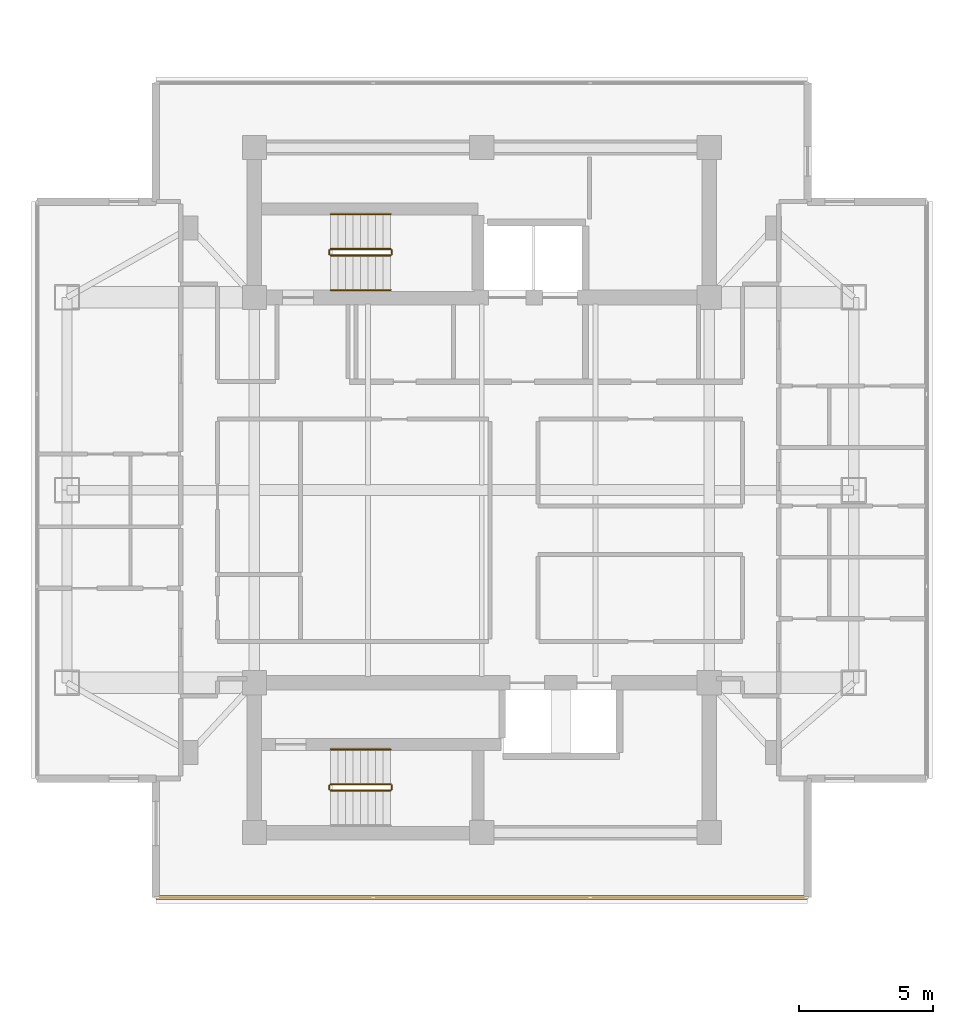
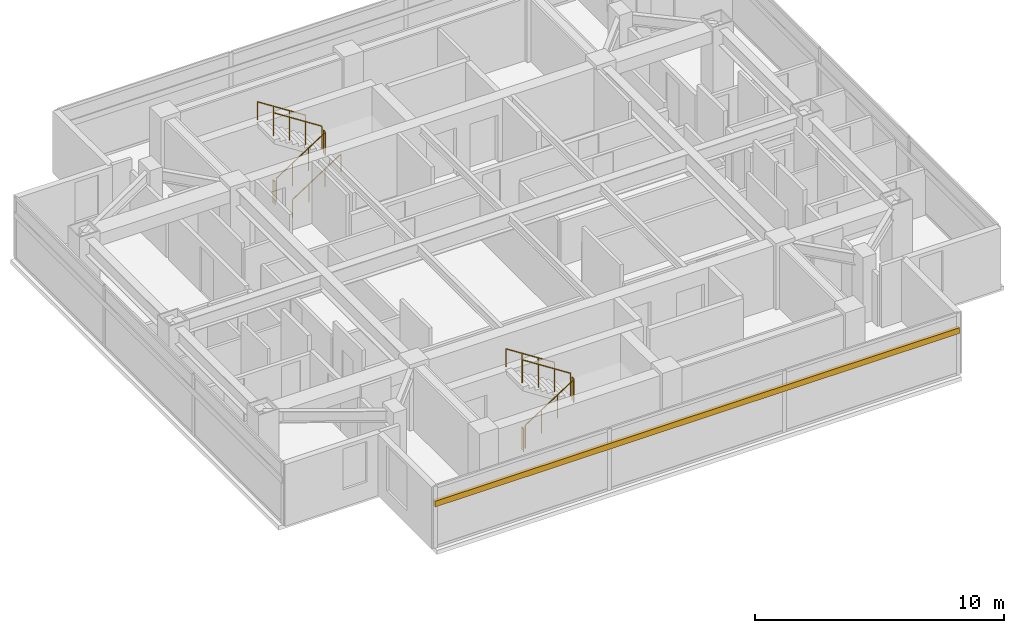
# One storey, part 23 of 24: 11 railings, 1 shading device.
"""IFC4 building model written with IfcOpenShell, lengths in metres."""

from ifc_helpers import new_model, si_unit, direction, frame, origin, origin_2d, place, context, subcontext, project, spatial, rectangle, circle, extrude, material, material_profile, profile_set, type_object, element, save


model = new_model("IFC4")

# Units and contexts
model_context = context("Model", 3, precision=1e-05, world=origin(), true_north=direction((0.0, 1.0)))
body_context = subcontext(model_context, "Body", "Model", "MODEL_VIEW")
ifc_project = project(units=[si_unit("LENGTHUNIT", "METRE"), si_unit("AREAUNIT", "SQUARE_METRE"), si_unit("VOLUMEUNIT", "CUBIC_METRE"), si_unit("PLANEANGLEUNIT", "RADIAN"), si_unit("MASSUNIT", "GRAM", prefix="KILO")], contexts=[model_context])

# Site, building, storey
site_placement = place(None, origin())
site = spatial("IfcSite", under=ifc_project, at=site_placement, CompositionType="ELEMENT")
building_placement = place(site_placement, origin())
building = spatial("IfcBuilding", under=site, at=building_placement, Name="Mirazonda Arch Towers", CompositionType="ELEMENT")
storey_placement = place(building_placement, frame((0.0, 0.0, 186.89990234375)))
storey = spatial("IfcBuildingStorey", under=building, at=storey_placement, Name="L53", CompositionType="ELEMENT", Elevation=186.89990234375)

# Shading device
ifc_material_1 = material(Name="Kiln-Fired Architectural Terracotta", Category="masonry")
ifc_material_profile = material_profile(ifc_material_1, rectangle(XDim=0.139892578125, YDim=0.280029296875, at=origin_2d()), Name="TERRA-BAG-140x280")
ifc_profile_set = profile_set([ifc_material_profile], Name="Kiln-Fired Architectural Terracotta")
shading_device_type = type_object("IfcShadingDeviceType", Name="BAGUETTE-3", PredefinedType="USERDEFINED", material=ifc_profile_set)
shading_device_placement = place(storey_placement, frame((88.67578125, 12.7783203125, 2.181640625), z_axis=(-1.0, 0.0, 0.0), x_axis=(0.0, -1.0, 0.0)))
element("IfcShadingDevice", 1, at=shading_device_placement, inside=storey, type_object=shading_device_type, Name="L53 Glazed Terracotta Sun-Screen Baguette CW-L53-T2-S", ObjectType="BAGUETTE", PredefinedType="USERDEFINED", context=body_context, shape_type="SweptSolid", body=[
    extrude(rectangle(XDim=0.139892578125, YDim=0.280029296875, at=origin_2d()), origin(), (0.0, 0.0, 1.0), 24.3515625),
])

# Railings
ifc_material_2 = material(Name="Architectural Brushed Steel S355", Category="steel")
railing_type_1 = type_object("IfcRailingType", Name="GUARD-STAIR-1120", PredefinedType="GUARDRAIL", material=ifc_material_2)
railing_1_placement = place(storey_placement, frame((70.85009765625, 36.77001953125, 0.1806640625)))
element("IfcRailing", 2, at=railing_1_placement, inside=storey, type_object=railing_type_1, Name="L53 ST-T2N stair guard 1", PredefinedType="GUARDRAIL", context=body_context, shape_type="SweptSolid", body=[
    extrude(circle(Radius=0.02392578125, at=origin_2d()), frame((0.0, 0.0, 1.1259765625), z_axis=(0.840436612492, 0.0, 0.541909863706), x_axis=(0.0, 1.0, 0.0)), (0.0, 0.0, 1.0), 2.665283203125),
    extrude(circle(Radius=0.02099609375, at=origin_2d()), origin(), (0.0, 0.0, 1.0), 1.101806640625),
    extrude(circle(Radius=0.02099609375, at=origin_2d()), frame((0.74658203125, 0.0, 0.4814453125)), (0.0, 0.0, 1.0), 1.101806640625),
    extrude(circle(Radius=0.02099609375, at=origin_2d()), frame((1.493408203125, 0.0, 0.962890625)), (0.0, 0.0, 1.0), 1.101806640625),
    extrude(circle(Radius=0.02099609375, at=origin_2d()), frame((2.239990234375, 0.0, 1.4443359375)), (0.0, 0.0, 1.0), 1.101806640625),
])
railing_2_placement = place(storey_placement, frame((73.139892578125, 36.820068359375, 1.625)))
element("IfcRailing", 3, at=railing_2_placement, inside=storey, type_object=railing_type_1, Name="L53 ST-T2N stair guard 2", PredefinedType="GUARDRAIL", context=body_context, shape_type="SweptSolid", body=[
    extrude(circle(Radius=0.02392578125, at=origin_2d()), frame((0.0, 0.0, 1.1259765625), z_axis=(0.0, 1.0, 0.0), x_axis=(-1.0, 0.0, 0.0)), (0.0, 0.0, 1.0), 0.139892578125),
    extrude(circle(Radius=0.02099609375, at=origin_2d()), origin(), (0.0, 0.0, 1.0), 1.101806640625),
    extrude(circle(Radius=0.02099609375, at=origin_2d()), frame((0.0, 0.139892578125, 0.0)), (0.0, 0.0, 1.0), 1.101806640625),
])
railing_3_placement = place(storey_placement, frame((73.090087890625, 37.010009765625, 1.8056640625)))
element("IfcRailing", 4, at=railing_3_placement, inside=storey, type_object=railing_type_1, Name="L53 ST-T2N stair guard 3", PredefinedType="GUARDRAIL", context=body_context, shape_type="SweptSolid", body=[
    extrude(circle(Radius=0.02392578125, at=origin_2d()), frame((0.0, 0.0, 1.1259765625), z_axis=(-0.840436612492, 0.0, 0.541909863706), x_axis=(0.0, -1.0, 0.0)), (0.0, 0.0, 1.0), 2.665283203125),
    extrude(circle(Radius=0.02099609375, at=origin_2d()), origin(), (0.0, 0.0, 1.0), 1.101806640625),
    extrude(circle(Radius=0.02099609375, at=origin_2d()), frame((-0.74658203125, 0.0, 0.4814453125)), (0.0, 0.0, 1.0), 1.101806640625),
    extrude(circle(Radius=0.02099609375, at=origin_2d()), frame((-1.493408203125, 0.0, 0.962890625)), (0.0, 0.0, 1.0), 1.101806640625),
    extrude(circle(Radius=0.02099609375, at=origin_2d()), frame((-2.239990234375, 0.0, 1.4443359375)), (0.0, 0.0, 1.0), 1.101806640625),
])
railing_4_placement = place(storey_placement, frame((70.800048828125, 36.820068359375, 0.0)))
element("IfcRailing", 5, at=railing_4_placement, inside=storey, type_object=railing_type_1, Name="L53 ST-T2N stair guard 4", PredefinedType="GUARDRAIL", context=body_context, shape_type="SweptSolid", body=[
    extrude(circle(Radius=0.02392578125, at=origin_2d()), frame((0.0, 0.0, 1.1259765625), z_axis=(0.0, 1.0, 0.0), x_axis=(-1.0, 0.0, 0.0)), (0.0, 0.0, 1.0), 0.139892578125),
    extrude(circle(Radius=0.02099609375, at=origin_2d()), origin(), (0.0, 0.0, 1.0), 1.101806640625),
    extrude(circle(Radius=0.02099609375, at=origin_2d()), frame((0.0, 0.139892578125, 0.0)), (0.0, 0.0, 1.0), 1.101806640625),
])
railing_5_placement = place(storey_placement, frame((70.85009765625, 16.77001953125, 0.1806640625)))
element("IfcRailing", 6, at=railing_5_placement, inside=storey, type_object=railing_type_1, Name="L53 ST-T2S stair guard 1", PredefinedType="GUARDRAIL", context=body_context, shape_type="SweptSolid", body=[
    extrude(circle(Radius=0.02392578125, at=origin_2d()), frame((0.0, 0.0, 1.1259765625), z_axis=(0.840436612492, 0.0, 0.541909863706), x_axis=(0.0, 1.0, 0.0)), (0.0, 0.0, 1.0), 2.665283203125),
    extrude(circle(Radius=0.02099609375, at=origin_2d()), origin(), (0.0, 0.0, 1.0), 1.101806640625),
    extrude(circle(Radius=0.02099609375, at=origin_2d()), frame((0.74658203125, 0.0, 0.4814453125)), (0.0, 0.0, 1.0), 1.101806640625),
    extrude(circle(Radius=0.02099609375, at=origin_2d()), frame((1.493408203125, 0.0, 0.962890625)), (0.0, 0.0, 1.0), 1.101806640625),
    extrude(circle(Radius=0.02099609375, at=origin_2d()), frame((2.239990234375, 0.0, 1.4443359375)), (0.0, 0.0, 1.0), 1.101806640625),
])
railing_6_placement = place(storey_placement, frame((73.139892578125, 16.820068359375, 1.625)))
element("IfcRailing", 7, at=railing_6_placement, inside=storey, type_object=railing_type_1, Name="L53 ST-T2S stair guard 2", PredefinedType="GUARDRAIL", context=body_context, shape_type="SweptSolid", body=[
    extrude(circle(Radius=0.02392578125, at=origin_2d()), frame((0.0, 0.0, 1.1259765625), z_axis=(0.0, 1.0, 0.0), x_axis=(-1.0, 0.0, 0.0)), (0.0, 0.0, 1.0), 0.139892578125),
    extrude(circle(Radius=0.02099609375, at=origin_2d()), origin(), (0.0, 0.0, 1.0), 1.101806640625),
    extrude(circle(Radius=0.02099609375, at=origin_2d()), frame((0.0, 0.139892578125, 0.0)), (0.0, 0.0, 1.0), 1.101806640625),
])
railing_7_placement = place(storey_placement, frame((73.090087890625, 17.010009765625, 1.8056640625)))
element("IfcRailing", 8, at=railing_7_placement, inside=storey, type_object=railing_type_1, Name="L53 ST-T2S stair guard 3", PredefinedType="GUARDRAIL", context=body_context, shape_type="SweptSolid", body=[
    extrude(circle(Radius=0.02392578125, at=origin_2d()), frame((0.0, 0.0, 1.1259765625), z_axis=(-0.840436612492, 0.0, 0.541909863706), x_axis=(0.0, -1.0, 0.0)), (0.0, 0.0, 1.0), 2.665283203125),
    extrude(circle(Radius=0.02099609375, at=origin_2d()), origin(), (0.0, 0.0, 1.0), 1.101806640625),
    extrude(circle(Radius=0.02099609375, at=origin_2d()), frame((-0.74658203125, 0.0, 0.4814453125)), (0.0, 0.0, 1.0), 1.101806640625),
    extrude(circle(Radius=0.02099609375, at=origin_2d()), frame((-1.493408203125, 0.0, 0.962890625)), (0.0, 0.0, 1.0), 1.101806640625),
    extrude(circle(Radius=0.02099609375, at=origin_2d()), frame((-2.239990234375, 0.0, 1.4443359375)), (0.0, 0.0, 1.0), 1.101806640625),
])
railing_8_placement = place(storey_placement, frame((70.800048828125, 16.820068359375, 0.0)))
element("IfcRailing", 9, at=railing_8_placement, inside=storey, type_object=railing_type_1, Name="L53 ST-T2S stair guard 4", PredefinedType="GUARDRAIL", context=body_context, shape_type="SweptSolid", body=[
    extrude(circle(Radius=0.02392578125, at=origin_2d()), frame((0.0, 0.0, 1.1259765625), z_axis=(0.0, 1.0, 0.0), x_axis=(-1.0, 0.0, 0.0)), (0.0, 0.0, 1.0), 0.139892578125),
    extrude(circle(Radius=0.02099609375, at=origin_2d()), origin(), (0.0, 0.0, 1.0), 1.101806640625),
    extrude(circle(Radius=0.02099609375, at=origin_2d()), frame((0.0, 0.139892578125, 0.0)), (0.0, 0.0, 1.0), 1.101806640625),
])
railing_type_2 = type_object("IfcRailingType", Name="HANDRAIL-915", PredefinedType="HANDRAIL", material=ifc_material_2)
railing_9_placement = place(storey_placement, frame((70.85009765625, 35.469970703125, 0.1806640625)))
element("IfcRailing", 10, at=railing_9_placement, inside=storey, type_object=railing_type_2, Name="L53 ST-T2N stair handrail 1", PredefinedType="HANDRAIL", context=body_context, shape_type="SweptSolid", body=[
    extrude(circle(Radius=0.02392578125, at=origin_2d()), frame((0.0, 0.0, 0.8759765625), z_axis=(0.840436612492, 0.0, 0.541909863706), x_axis=(0.0, 1.0, 0.0)), (0.0, 0.0, 1.0), 2.665283203125),
    extrude(circle(Radius=0.02099609375, at=origin_2d()), origin(), (0.0, 0.0, 1.0), 0.851806640625),
    extrude(circle(Radius=0.02099609375, at=origin_2d()), frame((0.74658203125, 0.0, 0.4814453125)), (0.0, 0.0, 1.0), 0.851806640625),
    extrude(circle(Radius=0.02099609375, at=origin_2d()), frame((1.493408203125, 0.0, 0.962890625)), (0.0, 0.0, 1.0), 0.851806640625),
    extrude(circle(Radius=0.02099609375, at=origin_2d()), frame((2.239990234375, 0.0, 1.4443359375)), (0.0, 0.0, 1.0), 0.851806640625),
])
for number, where, name in (
    (11, (73.090087890625, 38.31005859375, 1.8056640625), "L53 ST-T2N stair handrail 2"),
    (12, (73.090087890625, 18.31005859375, 1.8056640625), "L53 ST-T2S stair handrail 2"),
):
    element("IfcRailing", number, at=place(storey_placement, frame(where)), inside=storey, type_object=railing_type_2, Name=name, PredefinedType="HANDRAIL", context=body_context, shape_type="SweptSolid", body=[
        extrude(circle(Radius=0.02392578125, at=origin_2d()), frame((0.0, 0.0, 0.8759765625), z_axis=(-0.840436612492, 0.0, 0.541909863706), x_axis=(0.0, -1.0, 0.0)), (0.0, 0.0, 1.0), 2.665283203125),
        extrude(circle(Radius=0.02099609375, at=origin_2d()), origin(), (0.0, 0.0, 1.0), 0.851806640625),
        extrude(circle(Radius=0.02099609375, at=origin_2d()), frame((-0.74658203125, 0.0, 0.4814453125)), (0.0, 0.0, 1.0), 0.851806640625),
        extrude(circle(Radius=0.02099609375, at=origin_2d()), frame((-1.493408203125, 0.0, 0.962890625)), (0.0, 0.0, 1.0), 0.851806640625),
        extrude(circle(Radius=0.02099609375, at=origin_2d()), frame((-2.239990234375, 0.0, 1.4443359375)), (0.0, 0.0, 1.0), 0.851806640625),
    ])

save(model, "model.ifc")
